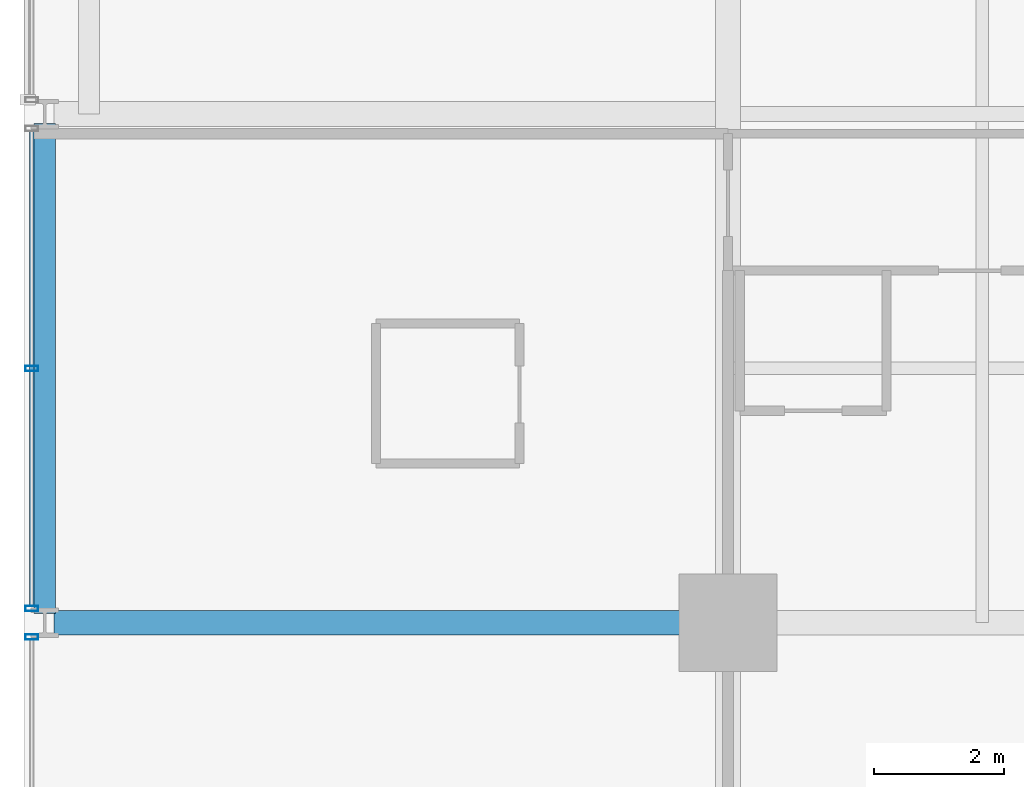
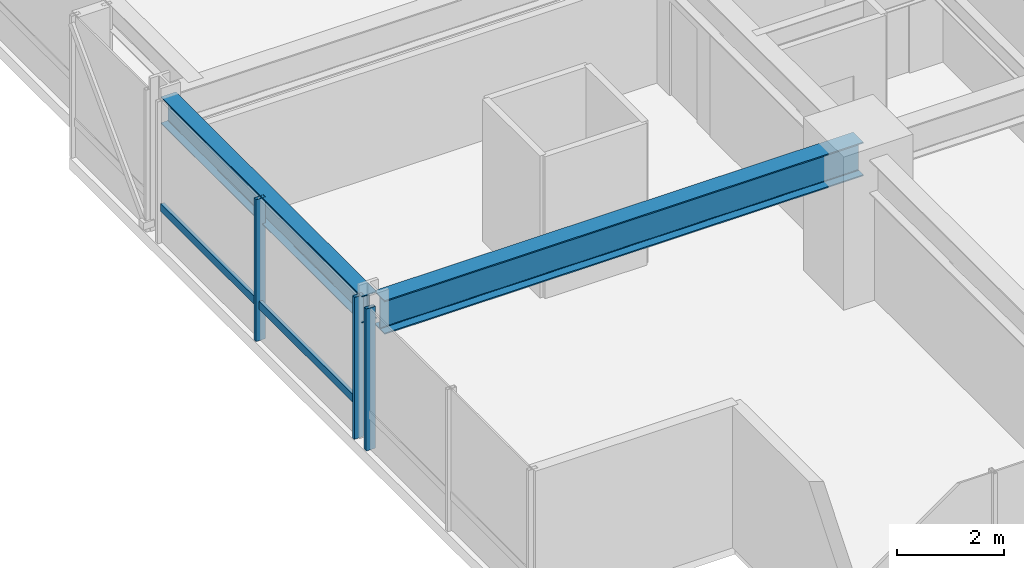
# One storey, part 4 of 34: 4 members, 2 beams, 2 elements without a shape of their own.
"""IFC4 building model written with IfcOpenShell, lengths in metres."""

from ifc_helpers import new_model, si_unit, direction, frame, origin, origin_2d, place, context, subcontext, project, spatial, hollow_rectangle, i_section, extrude, material, layer, layer_set, material_profile, profile_set, type_object, element, aggregate, save


model = new_model("IFC4")

# Units and contexts
model_context = context("Model", 3, precision=1e-05, world=origin(), true_north=direction((0.0, 1.0)))
body_context = subcontext(model_context, "Body", "Model", "MODEL_VIEW")
ifc_project = project(units=[si_unit("LENGTHUNIT", "METRE"), si_unit("AREAUNIT", "SQUARE_METRE"), si_unit("VOLUMEUNIT", "CUBIC_METRE"), si_unit("PLANEANGLEUNIT", "RADIAN"), si_unit("MASSUNIT", "GRAM", prefix="KILO")], contexts=[model_context])

# Site, building, storey
site_placement = place(None, origin())
site = spatial("IfcSite", under=ifc_project, at=site_placement, CompositionType="ELEMENT")
building_placement = place(site_placement, origin())
building = spatial("IfcBuilding", under=site, at=building_placement, Name="Drelvath Grand Hotel", CompositionType="ELEMENT")
storey_placement = place(building_placement, frame((0.0, 0.0, 112.800048828125)))
storey = spatial("IfcBuildingStorey", under=building, at=storey_placement, Name="L28", CompositionType="ELEMENT", Elevation=112.800048828125)

# Curtain wall, member
ifc_material_1 = material(Name="Champagne Bronze Anodised Aluminium Frame", Category="aluminium")
ifc_layer = layer(ifc_material_1, 0.199951171875)
ifc_layer_set = layer_set([ifc_layer], Name="Champagne Bronze Anodised Aluminium Frame")
curtain_wall_type = type_object("IfcCurtainWallType", Name="Stick Curtain Wall CW-03 Champagne Bronze Mid-Rise", PredefinedType="NOTDEFINED", material=ifc_layer_set)
curtain_wall_1_placement = place(storey_placement, origin())
curtain_wall_1 = element("IfcCurtainWall", 1, at=curtain_wall_1_placement, inside=storey, type_object=curtain_wall_type, Name="L28 CW-03 Curtain Wall CW03-L28-WS2", PredefinedType="NOTDEFINED")
ifc_material_profile_1 = material_profile(ifc_material_1, hollow_rectangle(XDim=0.074951171875, YDim=0.179931640625, WallThickness=0.0048828125, at=origin_2d()), Name="HSS180X75X5")
ifc_profile_set_1 = profile_set([ifc_material_profile_1], Name="Champagne Bronze Anodised Aluminium Frame")
member_type_1 = type_object("IfcMemberType", Name="Curtain Wall Horizontal Transom CW-03 HSS180X75X5", PredefinedType="USERDEFINED", material=ifc_profile_set_1)
member_1_placement = place(storey_placement, frame((-26.8798828125, 11.0595703125, 0.81005859375), z_axis=(0.0, 1.0, 0.0), x_axis=(-1.0, 0.0, 0.0)))
member_1 = element("IfcMember", 2, at=member_1_placement, type_object=member_type_1, Name="CW03-L28-WS2 Sill Transom", ObjectType="TRANSOM", PredefinedType="USERDEFINED", context=body_context, shape_type="SweptSolid", body=[
    extrude(hollow_rectangle(XDim=0.074951171875, YDim=0.179931640625, WallThickness=0.0048828125, at=origin_2d()), origin(), (0.0, 0.0, 1.0), 7.28076171875),
])

curtain_wall_2_placement = place(storey_placement, origin())
curtain_wall_2 = element("IfcCurtainWall", 3, at=curtain_wall_2_placement, inside=storey, type_object=curtain_wall_type, Name="L28 CW-03 Curtain Wall CW03-L28-WS1", PredefinedType="NOTDEFINED")
ifc_material_profile_2 = material_profile(ifc_material_1, hollow_rectangle(XDim=0.080078125, YDim=0.199951171875, WallThickness=0.0048828125, at=origin_2d()), Name="HSS200X80X5")
ifc_profile_set_2 = profile_set([ifc_material_profile_2], Name="Champagne Bronze Anodised Aluminium Frame")
member_type_2 = type_object("IfcMemberType", Name="Curtain Wall Vertical Mullion CW-03 HSS200X80X5", PredefinedType="MULLION", material=ifc_profile_set_2)
member_2_placement = place(storey_placement, frame((-26.8798828125, 10.580322265625, 0.0), z_axis=(0.0, 0.0, 1.0), x_axis=(0.0, 1.0, 0.0)))
member_2 = element("IfcMember", 4, at=member_2_placement, type_object=member_type_2, Name="CW03-L28-WS1 Mullion 3", PredefinedType="MULLION", context=body_context, shape_type="SweptSolid", body=[
    extrude(hollow_rectangle(XDim=0.080078125, YDim=0.199951171875, WallThickness=0.0048828125, at=origin_2d()), origin(), (0.0, 0.0, 1.0), 3.239990234375),
])
aggregate(curtain_wall_2, [member_2])

# Member
member_3_placement = place(storey_placement, frame((-26.8798828125, 11.01953125, 0.0), z_axis=(0.0, 0.0, 1.0), x_axis=(0.0, 1.0, 0.0)))
member_3 = element("IfcMember", 5, at=member_3_placement, type_object=member_type_2, Name="CW03-L28-WS2 Mullion 1", PredefinedType="MULLION", context=body_context, shape_type="SweptSolid", body=[
    extrude(hollow_rectangle(XDim=0.080078125, YDim=0.199951171875, WallThickness=0.0048828125, at=origin_2d()), origin(), (0.0, 0.0, 1.0), 3.239990234375),
])

member_4_placement = place(storey_placement, frame((-26.8798828125, 14.699951171875, 0.0), z_axis=(0.0, 0.0, 1.0), x_axis=(0.0, 1.0, 0.0)))
member_4 = element("IfcMember", 6, at=member_4_placement, type_object=member_type_2, Name="CW03-L28-WS2 Mullion 2", PredefinedType="MULLION", context=body_context, shape_type="SweptSolid", body=[
    extrude(hollow_rectangle(XDim=0.080078125, YDim=0.199951171875, WallThickness=0.0048828125, at=origin_2d()), origin(), (0.0, 0.0, 1.0), 3.239990234375),
])

aggregate(curtain_wall_1, [member_3, member_4, member_1])

# Beams
ifc_material_2 = material(Name="Steel ASTM A992 Gr 50", Category="steel")
ifc_material_profile_3 = material_profile(ifc_material_2, i_section(OverallWidth=0.323974609375, OverallDepth=0.611083984375, WebThickness=0.0126953125, FlangeThickness=0.01904296875, FilletRadius=0.02197265625, at=origin_2d()), Name="W24X104")
ifc_profile_set_3 = profile_set([ifc_material_profile_3], Name="Steel ASTM A992 Gr 50")
beam_type_1 = type_object("IfcBeamType", Name="Perimeter Spandrel Beam W24X104", PredefinedType="SPANDREL", material=ifc_profile_set_3)
beam_1_placement = place(storey_placement, frame((-26.679931640625, 10.93994140625, 2.9345703125), z_axis=(0.0, 1.0, 0.0), x_axis=(-1.0, 0.0, 0.0)))
element("IfcBeam", 7, at=beam_1_placement, inside=storey, type_object=beam_type_1, Name="L28 Spandrel West S", PredefinedType="SPANDREL", context=body_context, shape_type="SweptSolid", body=[
    extrude(i_section(OverallWidth=0.323974609375, OverallDepth=0.611083984375, WebThickness=0.0126953125, FlangeThickness=0.01904296875, FilletRadius=0.02197265625, at=origin_2d()), origin(), (0.0, 0.0, 1.0), 7.52001953125),
])
ifc_material_profile_4 = material_profile(ifc_material_2, i_section(OverallWidth=0.380615234375, OverallDepth=0.773193359375, WebThickness=0.0166015625, FlangeThickness=0.027099609375, FilletRadius=0.02490234375, at=origin_2d()), Name="W30X173")
ifc_profile_set_4 = profile_set([ifc_material_profile_4], Name="Steel ASTM A992 Gr 50")
beam_type_2 = type_object("IfcBeamType", Name="Primary Floor Girder W30X173", PredefinedType="BEAM", material=ifc_profile_set_4)
beam_2_placement = place(storey_placement, frame((-26.5400390625, 10.800048828125, 2.853271484375), z_axis=(1.0, 0.0, 0.0), x_axis=(0.0, 1.0, 0.0)))
element("IfcBeam", 8, at=beam_2_placement, inside=storey, type_object=beam_type_2, Name="L28 West Grid Girder C", PredefinedType="BEAM", context=body_context, shape_type="SweptSolid", body=[
    extrude(i_section(OverallWidth=0.380615234375, OverallDepth=0.773193359375, WebThickness=0.0166015625, FlangeThickness=0.027099609375, FilletRadius=0.02490234375, at=origin_2d()), origin(), (0.0, 0.0, 1.0), 10.340087890625),
])

save(model, "model.ifc")
